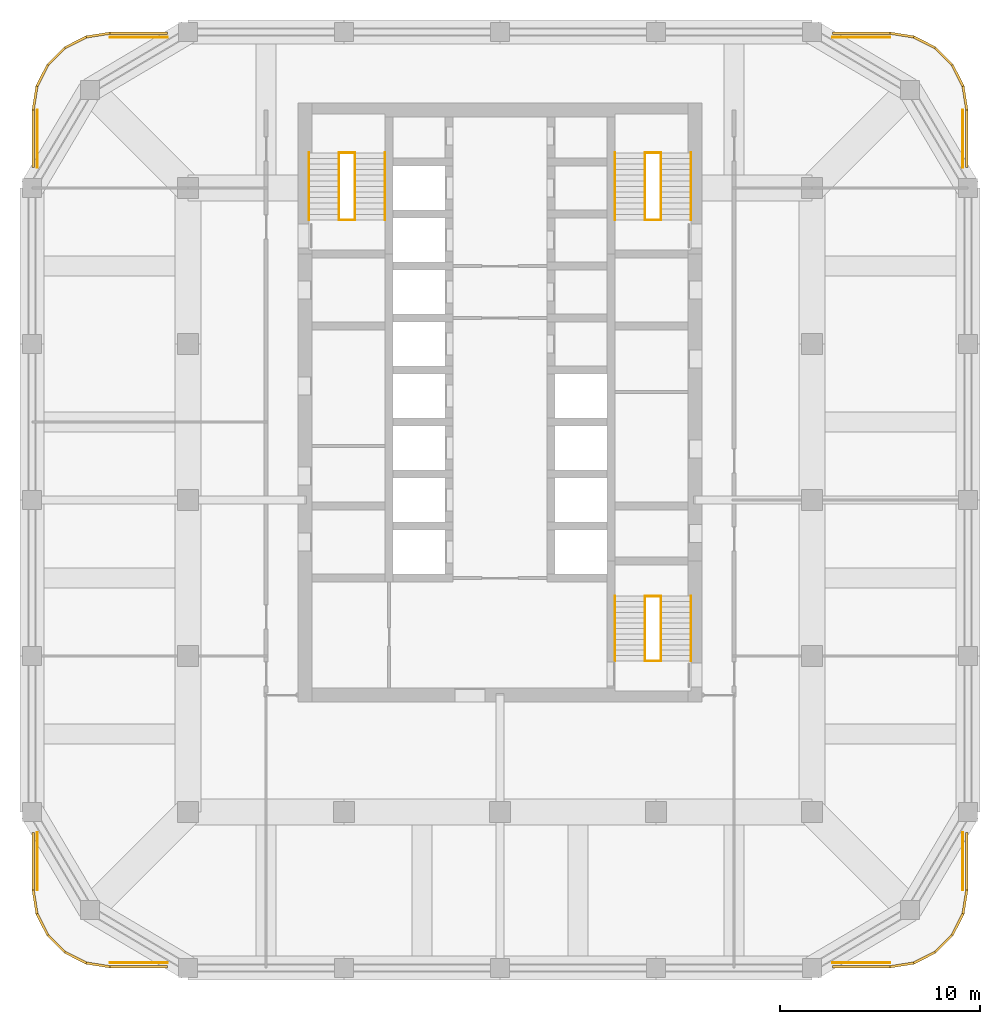
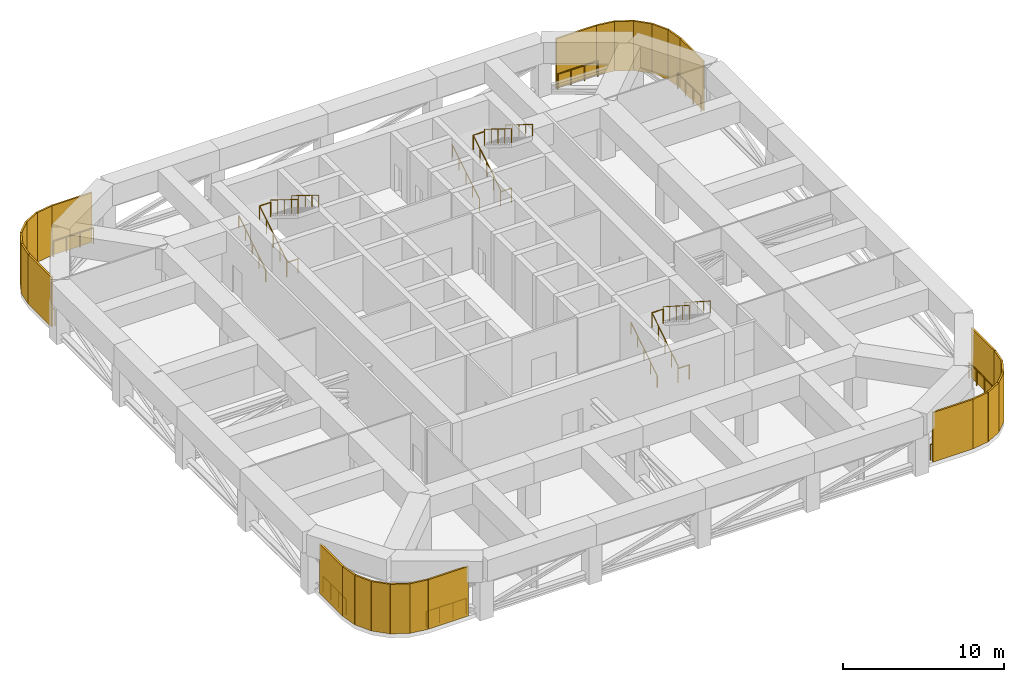
# One storey, part 9 of 9: 28 shading devices, 26 railings, 3 elements without a shape of their own.
"""IFC4 building model written with IfcOpenShell, lengths in metres."""

from ifc_helpers import new_model, si_unit, direction, frame, frame_2d, origin, origin_2d, place, context, subcontext, project, spatial, rectangle, circle, extrude, material, layer, layer_set, type_object, element, aggregate, save


model = new_model("IFC4")

# Units and contexts
model_context = context("Model", 3, precision=1e-05, world=origin(), true_north=direction((0.0, 1.0)))
body_context = subcontext(model_context, "Body", "Model", "MODEL_VIEW")
ifc_project = project(units=[si_unit("LENGTHUNIT", "METRE"), si_unit("AREAUNIT", "SQUARE_METRE"), si_unit("VOLUMEUNIT", "CUBIC_METRE"), si_unit("PLANEANGLEUNIT", "RADIAN"), si_unit("MASSUNIT", "GRAM", prefix="KILO")], contexts=[model_context])

# Site, building, storey
site_placement = place(None, origin())
site = spatial("IfcSite", under=ifc_project, at=site_placement, CompositionType="ELEMENT")
building_placement = place(site_placement, origin())
building = spatial("IfcBuilding", under=site, at=building_placement, Name="Ludao Terraces", CompositionType="ELEMENT")
storey_placement = place(building_placement, frame((0.0, 0.0, 95.39990234375)))
storey = spatial("IfcBuildingStorey", under=building, at=storey_placement, Name="L26", CompositionType="ELEMENT", Elevation=95.39990234375)

# Shading devices
ifc_material_1 = material(Name="Aluminium 6063-T6", Category="aluminium")
ifc_layer = layer(ifc_material_1, 0.1201171875)
ifc_layer_set = layer_set([ifc_layer], Name="ENV Louvre screen 120")
shading_device_type = type_object("IfcShadingDeviceType", Name="ENV Louvre screen 120", PredefinedType="USERDEFINED", material=ifc_layer_set)
for number, where, z_axis, x_axis, name in (
    (1, (65.5, 41.659912109375, 0.0), (0.0, 0.0, 1.0), (1.0, 0.0, 0.0), "LV-L26-S1"),
    (2, (101.62548828125, 41.659912109375, 0.0), (0.0, 0.0, 1.0), (1.0, 0.0, 0.0), "LV-L26-S6"),
    (3, (108.340087890625, 45.5, 0.0), (0.0, 0.0, 1.0), (0.0, 1.0, 0.0), "LV-L26-E1"),
    (4, (108.340087890625, 81.62548828125, 0.0), (0.0, 0.0, 1.0), (0.0, 1.0, 0.0), "LV-L26-E6"),
    (5, (65.5, 88.340087890625, 0.0), (0.0, 0.0, 1.0), (1.0, 0.0, 0.0), "LV-L26-N1"),
    (6, (101.62548828125, 88.340087890625, 0.0), (0.0, 0.0, 1.0), (1.0, 0.0, 0.0), "LV-L26-N6"),
    (7, (61.659912109375, 45.5, 0.0), (0.0, 0.0, 1.0), (0.0, 1.0, 0.0), "LV-L26-W1"),
    (8, (61.659912109375, 81.62548828125, 0.0), (0.0, 0.0, 1.0), (0.0, 1.0, 0.0), "LV-L26-W6"),
):
    element("IfcShadingDevice", number, at=place(storey_placement, frame(where, z_axis=z_axis, x_axis=x_axis)), inside=storey, type_object=shading_device_type, Name=name, ObjectType="LOUVRE", PredefinedType="USERDEFINED", context=body_context, shape_type="SweptSolid", body=[
        extrude(rectangle(XDim=2.87451171875, YDim=0.1201171875, at=frame_2d((1.437255859375, 0.0))), origin(), (0.0, 0.0, 1.0), 3.75),
    ])
for number, where, z_axis, x_axis, name in (
    (9, (104.5, 41.659912109375, 0.0), (0.0, 0.0, 1.0), (0.987680438414, 0.156484349296, 0.0), "LV-L26-SE1"),
    (10, (105.6865234375, 41.847900390625, 0.0), (0.0, 0.0, 1.0), (0.891028641699, 0.453947089066, 0.0), "LV-L26-SE2"),
    (11, (106.757080078125, 42.393310546875, 0.0), (0.0, 0.0, 1.0), (0.707106781187, 0.707106781187, 0.0), "LV-L26-SE3"),
    (12, (107.606689453125, 43.242919921875, 0.0), (0.0, 0.0, 1.0), (0.453947089066, 0.891028641699, 0.0), "LV-L26-SE4"),
    (13, (108.152099609375, 44.3134765625, 0.0), (0.0, 0.0, 1.0), (0.156484349296, 0.987680438414, 0.0), "LV-L26-SE5"),
    (14, (108.340087890625, 84.5, 0.0), (0.0, 0.0, 1.0), (-0.156484349296, 0.987680438414, 0.0), "LV-L26-NE1"),
    (15, (108.152099609375, 85.6865234375, 0.0), (0.0, 0.0, 1.0), (-0.453947089066, 0.891028641699, 0.0), "LV-L26-NE2"),
    (16, (107.606689453125, 86.757080078125, 0.0), (0.0, 0.0, 1.0), (-0.707106781187, 0.707106781187, 0.0), "LV-L26-NE3"),
    (17, (106.757080078125, 87.606689453125, 0.0), (0.0, 0.0, 1.0), (-0.891028641699, 0.453947089066, 0.0), "LV-L26-NE4"),
    (18, (105.6865234375, 88.152099609375, 0.0), (0.0, 0.0, 1.0), (-0.987680438414, 0.156484349296, 0.0), "LV-L26-NE5"),
    (19, (65.5, 88.340087890625, 0.0), (0.0, 0.0, 1.0), (-0.987680438414, -0.156484349296, 0.0), "LV-L26-NW1"),
    (20, (64.3134765625, 88.152099609375, 0.0), (0.0, 0.0, 1.0), (-0.891028641699, -0.453947089066, 0.0), "LV-L26-NW2"),
    (21, (63.242919921875, 87.606689453125, 0.0), (0.0, 0.0, 1.0), (-0.707106781187, -0.707106781187, 0.0), "LV-L26-NW3"),
    (22, (62.393310546875, 86.757080078125, 0.0), (0.0, 0.0, 1.0), (-0.453947089066, -0.891028641699, 0.0), "LV-L26-NW4"),
    (23, (61.847900390625, 85.6865234375, 0.0), (0.0, 0.0, 1.0), (-0.156484349296, -0.987680438414, 0.0), "LV-L26-NW5"),
    (24, (61.659912109375, 45.5, 0.0), (0.0, 0.0, 1.0), (0.156484349296, -0.987680438414, 0.0), "LV-L26-SW1"),
    (25, (61.847900390625, 44.3134765625, 0.0), (0.0, 0.0, 1.0), (0.453947089066, -0.891028641699, 0.0), "LV-L26-SW2"),
    (26, (62.393310546875, 43.242919921875, 0.0), (0.0, 0.0, 1.0), (0.707106781187, -0.707106781187, 0.0), "LV-L26-SW3"),
    (27, (63.242919921875, 42.393310546875, 0.0), (0.0, 0.0, 1.0), (0.891028641699, -0.453947089066, 0.0), "LV-L26-SW4"),
    (28, (64.3134765625, 41.847900390625, 0.0), (0.0, 0.0, 1.0), (0.987680438414, -0.156484349296, 0.0), "LV-L26-SW5"),
):
    element("IfcShadingDevice", number, at=place(storey_placement, frame(where, z_axis=z_axis, x_axis=x_axis)), inside=storey, type_object=shading_device_type, Name=name, ObjectType="LOUVRE", PredefinedType="USERDEFINED", context=body_context, shape_type="SweptSolid", body=[
        extrude(rectangle(XDim=1.201416015625, YDim=0.1201171875, at=frame_2d((0.6005859375, 0.0))), origin(), (0.0, 0.0, 1.0), 3.75),
    ])

# Railings
ifc_material_2 = material(Name="Steel Q235", Category="steel")
railing_type_1 = type_object("IfcRailingType", Name="ENV Open-edge guard 1200", PredefinedType="GUARDRAIL", material=ifc_material_2)
for number, where, name in (
    (29, (65.5, 41.8701171875, 0.0), "Guard L26 S1"),
    (30, (101.62548828125, 41.8701171875, 0.0), "Guard L26 S6"),
):
    element("IfcRailing", number, at=place(storey_placement, frame(where)), inside=storey, type_object=railing_type_1, Name=name, PredefinedType="GUARDRAIL", context=body_context, shape_type="SweptSolid", body=[
        extrude(circle(Radius=0.02392578125, at=origin_2d()), frame((0.0, 0.0, 1.17578125), z_axis=(1.0, 0.0, 0.0), x_axis=(0.0, 1.0, 0.0)), (0.0, 0.0, 1.0), 2.87451171875),
        extrude(circle(Radius=0.02099609375, at=origin_2d()), origin(), (0.0, 0.0, 1.0), 1.15185546875),
        extrude(circle(Radius=0.02099609375, at=origin_2d()), frame((0.958251953125, 0.0, 0.0)), (0.0, 0.0, 1.0), 1.15185546875),
        extrude(circle(Radius=0.02099609375, at=origin_2d()), frame((1.916259765625, 0.0, 0.0)), (0.0, 0.0, 1.0), 1.15185546875),
        extrude(circle(Radius=0.02099609375, at=origin_2d()), frame((2.87451171875, 0.0, 0.0)), (0.0, 0.0, 1.0), 1.15185546875),
    ])
for number, where, name in (
    (31, (108.1298828125, 45.5, 0.0), "Guard L26 E1"),
    (32, (108.1298828125, 81.62548828125, 0.0), "Guard L26 E6"),
):
    element("IfcRailing", number, at=place(storey_placement, frame(where)), inside=storey, type_object=railing_type_1, Name=name, PredefinedType="GUARDRAIL", context=body_context, shape_type="SweptSolid", body=[
        extrude(circle(Radius=0.02392578125, at=origin_2d()), frame((0.0, 0.0, 1.17578125), z_axis=(0.0, 1.0, 0.0), x_axis=(-1.0, 0.0, 0.0)), (0.0, 0.0, 1.0), 2.87451171875),
        extrude(circle(Radius=0.02099609375, at=origin_2d()), origin(), (0.0, 0.0, 1.0), 1.15185546875),
        extrude(circle(Radius=0.02099609375, at=origin_2d()), frame((0.0, 0.958251953125, 0.0)), (0.0, 0.0, 1.0), 1.15185546875),
        extrude(circle(Radius=0.02099609375, at=origin_2d()), frame((0.0, 1.916259765625, 0.0)), (0.0, 0.0, 1.0), 1.15185546875),
        extrude(circle(Radius=0.02099609375, at=origin_2d()), frame((0.0, 2.87451171875, 0.0)), (0.0, 0.0, 1.0), 1.15185546875),
    ])
for number, where, name in (
    (33, (65.5, 88.1298828125, 0.0), "Guard L26 N1"),
    (34, (101.62548828125, 88.1298828125, 0.0), "Guard L26 N6"),
):
    element("IfcRailing", number, at=place(storey_placement, frame(where)), inside=storey, type_object=railing_type_1, Name=name, PredefinedType="GUARDRAIL", context=body_context, shape_type="SweptSolid", body=[
        extrude(circle(Radius=0.02392578125, at=origin_2d()), frame((0.0, 0.0, 1.17578125), z_axis=(1.0, 0.0, 0.0), x_axis=(0.0, 1.0, 0.0)), (0.0, 0.0, 1.0), 2.87451171875),
        extrude(circle(Radius=0.02099609375, at=origin_2d()), origin(), (0.0, 0.0, 1.0), 1.15185546875),
        extrude(circle(Radius=0.02099609375, at=origin_2d()), frame((0.958251953125, 0.0, 0.0)), (0.0, 0.0, 1.0), 1.15185546875),
        extrude(circle(Radius=0.02099609375, at=origin_2d()), frame((1.916259765625, 0.0, 0.0)), (0.0, 0.0, 1.0), 1.15185546875),
        extrude(circle(Radius=0.02099609375, at=origin_2d()), frame((2.87451171875, 0.0, 0.0)), (0.0, 0.0, 1.0), 1.15185546875),
    ])
for number, where, name in (
    (35, (61.8701171875, 45.5, 0.0), "Guard L26 W1"),
    (36, (61.8701171875, 81.62548828125, 0.0), "Guard L26 W6"),
):
    element("IfcRailing", number, at=place(storey_placement, frame(where)), inside=storey, type_object=railing_type_1, Name=name, PredefinedType="GUARDRAIL", context=body_context, shape_type="SweptSolid", body=[
        extrude(circle(Radius=0.02392578125, at=origin_2d()), frame((0.0, 0.0, 1.17578125), z_axis=(0.0, 1.0, 0.0), x_axis=(-1.0, 0.0, 0.0)), (0.0, 0.0, 1.0), 2.87451171875),
        extrude(circle(Radius=0.02099609375, at=origin_2d()), origin(), (0.0, 0.0, 1.0), 1.15185546875),
        extrude(circle(Radius=0.02099609375, at=origin_2d()), frame((0.0, 0.958251953125, 0.0)), (0.0, 0.0, 1.0), 1.15185546875),
        extrude(circle(Radius=0.02099609375, at=origin_2d()), frame((0.0, 1.916259765625, 0.0)), (0.0, 0.0, 1.0), 1.15185546875),
        extrude(circle(Radius=0.02099609375, at=origin_2d()), frame((0.0, 2.87451171875, 0.0)), (0.0, 0.0, 1.0), 1.15185546875),
    ])

# Stair, railings
ifc_material_3 = material(Name="Concrete C40", Category="concrete")
stair_type = type_object("IfcStairType", Name="INT Stair", PredefinedType="HALF_TURN_STAIR", material=ifc_material_3)
stair_1_placement = place(storey_placement, origin())
stair_1 = element("IfcStair", 37, at=stair_1_placement, inside=storey, type_object=stair_type, Name="EXIT STAIR 1", PredefinedType="HALF_TURN_STAIR")
ifc_material_4 = material(Name="Stainless steel 304", Category="steel")
railing_type_2 = type_object("IfcRailingType", Name="INT Stair guard 1100", PredefinedType="GUARDRAIL", material=ifc_material_4)
railing_1_placement = place(storey_placement, frame((76.949951171875, 79.0, 0.173095703125)))
railing_1 = element("IfcRailing", 38, at=railing_1_placement, type_object=railing_type_2, Name="ST-L26-S1-R1G", PredefinedType="GUARDRAIL", context=body_context, shape_type="SweptSolid", body=[
    extrude(circle(Radius=0.02392578125, at=origin_2d()), frame((0.0, 0.0, 1.076171875), z_axis=(0.0, 0.850623216509, 0.525775754039), x_axis=(-1.0, 0.0, 0.0)), (0.0, 0.0, 1.0), 3.9501953125),
    extrude(circle(Radius=0.02099609375, at=origin_2d()), origin(), (0.0, 0.0, 1.0), 1.052001953125),
    extrude(circle(Radius=0.02099609375, at=origin_2d()), frame((0.0, 0.840087890625, 0.519287109375)), (0.0, 0.0, 1.0), 1.052001953125),
    extrude(circle(Radius=0.02099609375, at=origin_2d()), frame((0.0, 1.68017578125, 1.03857421875)), (0.0, 0.0, 1.0), 1.052001953125),
    extrude(circle(Radius=0.02099609375, at=origin_2d()), frame((0.0, 2.52001953125, 1.5576171875)), (0.0, 0.0, 1.0), 1.052001953125),
    extrude(circle(Radius=0.02099609375, at=origin_2d()), frame((0.0, 3.360107421875, 2.076904296875)), (0.0, 0.0, 1.0), 1.052001953125),
])
railing_2_placement = place(storey_placement, frame((77.75, 82.360107421875, 2.423095703125)))
railing_2 = element("IfcRailing", 39, at=railing_2_placement, type_object=railing_type_2, Name="ST-L26-S1-R2G", PredefinedType="GUARDRAIL", context=body_context, shape_type="SweptSolid", body=[
    extrude(circle(Radius=0.02392578125, at=origin_2d()), frame((0.0, 0.0, 1.076171875), z_axis=(0.0, -0.850623216509, 0.525775754039), x_axis=(1.0, 0.0, 0.0)), (0.0, 0.0, 1.0), 3.9501953125),
    extrude(circle(Radius=0.02099609375, at=origin_2d()), origin(), (0.0, 0.0, 1.0), 1.052001953125),
    extrude(circle(Radius=0.02099609375, at=origin_2d()), frame((0.0, -0.840087890625, 0.519287109375)), (0.0, 0.0, 1.0), 1.052001953125),
    extrude(circle(Radius=0.02099609375, at=origin_2d()), frame((0.0, -1.68017578125, 1.03857421875)), (0.0, 0.0, 1.0), 1.052001953125),
    extrude(circle(Radius=0.02099609375, at=origin_2d()), frame((0.0, -2.52001953125, 1.5576171875)), (0.0, 0.0, 1.0), 1.052001953125),
    extrude(circle(Radius=0.02099609375, at=origin_2d()), frame((0.0, -3.360107421875, 2.076904296875)), (0.0, 0.0, 1.0), 1.052001953125),
])
railing_3_placement = place(storey_placement, frame((76.949951171875, 82.360107421875, 2.25)))
railing_3 = element("IfcRailing", 40, at=railing_3_placement, type_object=railing_type_2, Name="ST-L26-S1-E1G", PredefinedType="GUARDRAIL", context=body_context, shape_type="SweptSolid", body=[
    extrude(circle(Radius=0.02392578125, at=origin_2d()), frame((0.0, 0.0, 1.076171875), z_axis=(1.0, 0.0, 0.0), x_axis=(0.0, 1.0, 0.0)), (0.0, 0.0, 1.0), 0.800048828125),
    extrude(circle(Radius=0.02099609375, at=origin_2d()), origin(), (0.0, 0.0, 1.0), 1.052001953125),
    extrude(circle(Radius=0.02099609375, at=origin_2d()), frame((0.800048828125, 0.0, 0.0)), (0.0, 0.0, 1.0), 1.052001953125),
])
railing_4_placement = place(storey_placement, frame((76.949951171875, 79.0, 0.0)))
railing_4 = element("IfcRailing", 41, at=railing_4_placement, type_object=railing_type_2, Name="ST-L26-S1-E2G", PredefinedType="GUARDRAIL", context=body_context, shape_type="SweptSolid", body=[
    extrude(circle(Radius=0.02392578125, at=origin_2d()), frame((0.0, 0.0, 1.076171875), z_axis=(1.0, 0.0, 0.0), x_axis=(0.0, 1.0, 0.0)), (0.0, 0.0, 1.0), 0.800048828125),
    extrude(circle(Radius=0.02099609375, at=origin_2d()), origin(), (0.0, 0.0, 1.0), 1.052001953125),
    extrude(circle(Radius=0.02099609375, at=origin_2d()), frame((0.800048828125, 0.0, 0.0)), (0.0, 0.0, 1.0), 1.052001953125),
])

stair_2_placement = place(storey_placement, origin())
stair_2 = element("IfcStair", 42, at=stair_2_placement, inside=storey, type_object=stair_type, Name="EXIT STAIR 2", PredefinedType="HALF_TURN_STAIR")
railing_5_placement = place(storey_placement, frame((92.25, 79.0, 0.173095703125)))
railing_5 = element("IfcRailing", 43, at=railing_5_placement, type_object=railing_type_2, Name="ST-L26-S2-R1G", PredefinedType="GUARDRAIL", context=body_context, shape_type="SweptSolid", body=[
    extrude(circle(Radius=0.02392578125, at=origin_2d()), frame((0.0, 0.0, 1.076171875), z_axis=(0.0, 0.850623216509, 0.525775754039), x_axis=(-1.0, 0.0, 0.0)), (0.0, 0.0, 1.0), 3.9501953125),
    extrude(circle(Radius=0.02099609375, at=origin_2d()), origin(), (0.0, 0.0, 1.0), 1.052001953125),
    extrude(circle(Radius=0.02099609375, at=origin_2d()), frame((0.0, 0.840087890625, 0.519287109375)), (0.0, 0.0, 1.0), 1.052001953125),
    extrude(circle(Radius=0.02099609375, at=origin_2d()), frame((0.0, 1.68017578125, 1.03857421875)), (0.0, 0.0, 1.0), 1.052001953125),
    extrude(circle(Radius=0.02099609375, at=origin_2d()), frame((0.0, 2.52001953125, 1.5576171875)), (0.0, 0.0, 1.0), 1.052001953125),
    extrude(circle(Radius=0.02099609375, at=origin_2d()), frame((0.0, 3.360107421875, 2.076904296875)), (0.0, 0.0, 1.0), 1.052001953125),
])
railing_6_placement = place(storey_placement, frame((93.050048828125, 82.360107421875, 2.423095703125)))
railing_6 = element("IfcRailing", 44, at=railing_6_placement, type_object=railing_type_2, Name="ST-L26-S2-R2G", PredefinedType="GUARDRAIL", context=body_context, shape_type="SweptSolid", body=[
    extrude(circle(Radius=0.02392578125, at=origin_2d()), frame((0.0, 0.0, 1.076171875), z_axis=(0.0, -0.850623216509, 0.525775754039), x_axis=(1.0, 0.0, 0.0)), (0.0, 0.0, 1.0), 3.9501953125),
    extrude(circle(Radius=0.02099609375, at=origin_2d()), origin(), (0.0, 0.0, 1.0), 1.052001953125),
    extrude(circle(Radius=0.02099609375, at=origin_2d()), frame((0.0, -0.840087890625, 0.519287109375)), (0.0, 0.0, 1.0), 1.052001953125),
    extrude(circle(Radius=0.02099609375, at=origin_2d()), frame((0.0, -1.68017578125, 1.03857421875)), (0.0, 0.0, 1.0), 1.052001953125),
    extrude(circle(Radius=0.02099609375, at=origin_2d()), frame((0.0, -2.52001953125, 1.5576171875)), (0.0, 0.0, 1.0), 1.052001953125),
    extrude(circle(Radius=0.02099609375, at=origin_2d()), frame((0.0, -3.360107421875, 2.076904296875)), (0.0, 0.0, 1.0), 1.052001953125),
])
railing_7_placement = place(storey_placement, frame((92.25, 82.360107421875, 2.25)))
railing_7 = element("IfcRailing", 45, at=railing_7_placement, type_object=railing_type_2, Name="ST-L26-S2-E1G", PredefinedType="GUARDRAIL", context=body_context, shape_type="SweptSolid", body=[
    extrude(circle(Radius=0.02392578125, at=origin_2d()), frame((0.0, 0.0, 1.076171875), z_axis=(1.0, 0.0, 0.0), x_axis=(0.0, 1.0, 0.0)), (0.0, 0.0, 1.0), 0.800048828125),
    extrude(circle(Radius=0.02099609375, at=origin_2d()), origin(), (0.0, 0.0, 1.0), 1.052001953125),
    extrude(circle(Radius=0.02099609375, at=origin_2d()), frame((0.800048828125, 0.0, 0.0)), (0.0, 0.0, 1.0), 1.052001953125),
])
railing_8_placement = place(storey_placement, frame((92.25, 79.0, 0.0)))
railing_8 = element("IfcRailing", 46, at=railing_8_placement, type_object=railing_type_2, Name="ST-L26-S2-E2G", PredefinedType="GUARDRAIL", context=body_context, shape_type="SweptSolid", body=[
    extrude(circle(Radius=0.02392578125, at=origin_2d()), frame((0.0, 0.0, 1.076171875), z_axis=(1.0, 0.0, 0.0), x_axis=(0.0, 1.0, 0.0)), (0.0, 0.0, 1.0), 0.800048828125),
    extrude(circle(Radius=0.02099609375, at=origin_2d()), origin(), (0.0, 0.0, 1.0), 1.052001953125),
    extrude(circle(Radius=0.02099609375, at=origin_2d()), frame((0.800048828125, 0.0, 0.0)), (0.0, 0.0, 1.0), 1.052001953125),
])

stair_3_placement = place(storey_placement, origin())
stair_3 = element("IfcStair", 47, at=stair_3_placement, inside=storey, type_object=stair_type, Name="EXIT STAIR 3", PredefinedType="HALF_TURN_STAIR")
railing_9_placement = place(storey_placement, frame((92.25, 56.949951171875, 0.173095703125)))
railing_9 = element("IfcRailing", 48, at=railing_9_placement, type_object=railing_type_2, Name="ST-L26-S3-R1G", PredefinedType="GUARDRAIL", context=body_context, shape_type="SweptSolid", body=[
    extrude(circle(Radius=0.02392578125, at=origin_2d()), frame((0.0, 0.0, 1.076171875), z_axis=(0.0, 0.841880617004, 0.539663808971), x_axis=(-1.0, 0.0, 0.0)), (0.0, 0.0, 1.0), 3.8486328125),
    extrude(circle(Radius=0.02099609375, at=origin_2d()), origin(), (0.0, 0.0, 1.0), 1.052001953125),
    extrude(circle(Radius=0.02099609375, at=origin_2d()), frame((0.0, 0.81005859375, 0.519287109375)), (0.0, 0.0, 1.0), 1.052001953125),
    extrude(circle(Radius=0.02099609375, at=origin_2d()), frame((0.0, 1.6201171875, 1.03857421875)), (0.0, 0.0, 1.0), 1.052001953125),
    extrude(circle(Radius=0.02099609375, at=origin_2d()), frame((0.0, 2.429931640625, 1.5576171875)), (0.0, 0.0, 1.0), 1.052001953125),
    extrude(circle(Radius=0.02099609375, at=origin_2d()), frame((0.0, 3.239990234375, 2.076904296875)), (0.0, 0.0, 1.0), 1.052001953125),
])
railing_10_placement = place(storey_placement, frame((93.050048828125, 60.18994140625, 2.423095703125)))
railing_10 = element("IfcRailing", 49, at=railing_10_placement, type_object=railing_type_2, Name="ST-L26-S3-R2G", PredefinedType="GUARDRAIL", context=body_context, shape_type="SweptSolid", body=[
    extrude(circle(Radius=0.02392578125, at=origin_2d()), frame((0.0, 0.0, 1.076171875), z_axis=(0.0, -0.841880617004, 0.539663808971), x_axis=(1.0, 0.0, 0.0)), (0.0, 0.0, 1.0), 3.8486328125),
    extrude(circle(Radius=0.02099609375, at=origin_2d()), origin(), (0.0, 0.0, 1.0), 1.052001953125),
    extrude(circle(Radius=0.02099609375, at=origin_2d()), frame((0.0, -0.81005859375, 0.519287109375)), (0.0, 0.0, 1.0), 1.052001953125),
    extrude(circle(Radius=0.02099609375, at=origin_2d()), frame((0.0, -1.6201171875, 1.03857421875)), (0.0, 0.0, 1.0), 1.052001953125),
    extrude(circle(Radius=0.02099609375, at=origin_2d()), frame((0.0, -2.429931640625, 1.5576171875)), (0.0, 0.0, 1.0), 1.052001953125),
    extrude(circle(Radius=0.02099609375, at=origin_2d()), frame((0.0, -3.239990234375, 2.076904296875)), (0.0, 0.0, 1.0), 1.052001953125),
])
railing_11_placement = place(storey_placement, frame((92.25, 60.18994140625, 2.25)))
railing_11 = element("IfcRailing", 50, at=railing_11_placement, type_object=railing_type_2, Name="ST-L26-S3-E1G", PredefinedType="GUARDRAIL", context=body_context, shape_type="SweptSolid", body=[
    extrude(circle(Radius=0.02392578125, at=origin_2d()), frame((0.0, 0.0, 1.076171875), z_axis=(1.0, 0.0, 0.0), x_axis=(0.0, 1.0, 0.0)), (0.0, 0.0, 1.0), 0.800048828125),
    extrude(circle(Radius=0.02099609375, at=origin_2d()), origin(), (0.0, 0.0, 1.0), 1.052001953125),
    extrude(circle(Radius=0.02099609375, at=origin_2d()), frame((0.800048828125, 0.0, 0.0)), (0.0, 0.0, 1.0), 1.052001953125),
])
railing_12_placement = place(storey_placement, frame((92.25, 56.949951171875, 0.0)))
railing_12 = element("IfcRailing", 51, at=railing_12_placement, type_object=railing_type_2, Name="ST-L26-S3-E2G", PredefinedType="GUARDRAIL", context=body_context, shape_type="SweptSolid", body=[
    extrude(circle(Radius=0.02392578125, at=origin_2d()), frame((0.0, 0.0, 1.076171875), z_axis=(1.0, 0.0, 0.0), x_axis=(0.0, 1.0, 0.0)), (0.0, 0.0, 1.0), 0.800048828125),
    extrude(circle(Radius=0.02099609375, at=origin_2d()), origin(), (0.0, 0.0, 1.0), 1.052001953125),
    extrude(circle(Radius=0.02099609375, at=origin_2d()), frame((0.800048828125, 0.0, 0.0)), (0.0, 0.0, 1.0), 1.052001953125),
])

# Railing
railing_type_3 = type_object("IfcRailingType", Name="INT Stair handrail 900", PredefinedType="HANDRAIL", material=ifc_material_4)
railing_13_placement = place(storey_placement, frame((75.449951171875, 79.0, 0.173095703125)))
railing_13 = element("IfcRailing", 52, at=railing_13_placement, type_object=railing_type_3, Name="ST-L26-S1-R1H", PredefinedType="HANDRAIL", context=body_context, shape_type="SweptSolid", body=[
    extrude(circle(Radius=0.02392578125, at=origin_2d()), frame((0.0, 0.0, 0.8759765625), z_axis=(0.0, 0.850623216509, 0.525775754039), x_axis=(-1.0, 0.0, 0.0)), (0.0, 0.0, 1.0), 3.9501953125),
    extrude(circle(Radius=0.02099609375, at=origin_2d()), origin(), (0.0, 0.0, 1.0), 0.851806640625),
    extrude(circle(Radius=0.02099609375, at=origin_2d()), frame((0.0, 0.840087890625, 0.519287109375)), (0.0, 0.0, 1.0), 0.851806640625),
    extrude(circle(Radius=0.02099609375, at=origin_2d()), frame((0.0, 1.68017578125, 1.03857421875)), (0.0, 0.0, 1.0), 0.851806640625),
    extrude(circle(Radius=0.02099609375, at=origin_2d()), frame((0.0, 2.52001953125, 1.5576171875)), (0.0, 0.0, 1.0), 0.851806640625),
    extrude(circle(Radius=0.02099609375, at=origin_2d()), frame((0.0, 3.360107421875, 2.076904296875)), (0.0, 0.0, 1.0), 0.851806640625),
])

railing_14_placement = place(storey_placement, frame((79.25, 82.360107421875, 2.423095703125)))
railing_14 = element("IfcRailing", 53, at=railing_14_placement, type_object=railing_type_3, Name="ST-L26-S1-R2H", PredefinedType="HANDRAIL", context=body_context, shape_type="SweptSolid", body=[
    extrude(circle(Radius=0.02392578125, at=origin_2d()), frame((0.0, 0.0, 0.8759765625), z_axis=(0.0, -0.850623216509, 0.525775754039), x_axis=(1.0, 0.0, 0.0)), (0.0, 0.0, 1.0), 3.9501953125),
    extrude(circle(Radius=0.02099609375, at=origin_2d()), origin(), (0.0, 0.0, 1.0), 0.851806640625),
    extrude(circle(Radius=0.02099609375, at=origin_2d()), frame((0.0, -0.840087890625, 0.519287109375)), (0.0, 0.0, 1.0), 0.851806640625),
    extrude(circle(Radius=0.02099609375, at=origin_2d()), frame((0.0, -1.68017578125, 1.03857421875)), (0.0, 0.0, 1.0), 0.851806640625),
    extrude(circle(Radius=0.02099609375, at=origin_2d()), frame((0.0, -2.52001953125, 1.5576171875)), (0.0, 0.0, 1.0), 0.851806640625),
    extrude(circle(Radius=0.02099609375, at=origin_2d()), frame((0.0, -3.360107421875, 2.076904296875)), (0.0, 0.0, 1.0), 0.851806640625),
])

aggregate(stair_1, [railing_1, railing_13, railing_2, railing_14, railing_3, railing_4])

railing_15_placement = place(storey_placement, frame((90.75, 79.0, 0.173095703125)))
railing_15 = element("IfcRailing", 54, at=railing_15_placement, type_object=railing_type_3, Name="ST-L26-S2-R1H", PredefinedType="HANDRAIL", context=body_context, shape_type="SweptSolid", body=[
    extrude(circle(Radius=0.02392578125, at=origin_2d()), frame((0.0, 0.0, 0.8759765625), z_axis=(0.0, 0.850623216509, 0.525775754039), x_axis=(-1.0, 0.0, 0.0)), (0.0, 0.0, 1.0), 3.9501953125),
    extrude(circle(Radius=0.02099609375, at=origin_2d()), origin(), (0.0, 0.0, 1.0), 0.851806640625),
    extrude(circle(Radius=0.02099609375, at=origin_2d()), frame((0.0, 0.840087890625, 0.519287109375)), (0.0, 0.0, 1.0), 0.851806640625),
    extrude(circle(Radius=0.02099609375, at=origin_2d()), frame((0.0, 1.68017578125, 1.03857421875)), (0.0, 0.0, 1.0), 0.851806640625),
    extrude(circle(Radius=0.02099609375, at=origin_2d()), frame((0.0, 2.52001953125, 1.5576171875)), (0.0, 0.0, 1.0), 0.851806640625),
    extrude(circle(Radius=0.02099609375, at=origin_2d()), frame((0.0, 3.360107421875, 2.076904296875)), (0.0, 0.0, 1.0), 0.851806640625),
])

railing_16_placement = place(storey_placement, frame((94.550048828125, 82.360107421875, 2.423095703125)))
railing_16 = element("IfcRailing", 55, at=railing_16_placement, type_object=railing_type_3, Name="ST-L26-S2-R2H", PredefinedType="HANDRAIL", context=body_context, shape_type="SweptSolid", body=[
    extrude(circle(Radius=0.02392578125, at=origin_2d()), frame((0.0, 0.0, 0.8759765625), z_axis=(0.0, -0.850623216509, 0.525775754039), x_axis=(1.0, 0.0, 0.0)), (0.0, 0.0, 1.0), 3.9501953125),
    extrude(circle(Radius=0.02099609375, at=origin_2d()), origin(), (0.0, 0.0, 1.0), 0.851806640625),
    extrude(circle(Radius=0.02099609375, at=origin_2d()), frame((0.0, -0.840087890625, 0.519287109375)), (0.0, 0.0, 1.0), 0.851806640625),
    extrude(circle(Radius=0.02099609375, at=origin_2d()), frame((0.0, -1.68017578125, 1.03857421875)), (0.0, 0.0, 1.0), 0.851806640625),
    extrude(circle(Radius=0.02099609375, at=origin_2d()), frame((0.0, -2.52001953125, 1.5576171875)), (0.0, 0.0, 1.0), 0.851806640625),
    extrude(circle(Radius=0.02099609375, at=origin_2d()), frame((0.0, -3.360107421875, 2.076904296875)), (0.0, 0.0, 1.0), 0.851806640625),
])

aggregate(stair_2, [railing_5, railing_15, railing_6, railing_16, railing_7, railing_8])

railing_17_placement = place(storey_placement, frame((90.75, 56.949951171875, 0.173095703125)))
railing_17 = element("IfcRailing", 56, at=railing_17_placement, type_object=railing_type_3, Name="ST-L26-S3-R1H", PredefinedType="HANDRAIL", context=body_context, shape_type="SweptSolid", body=[
    extrude(circle(Radius=0.02392578125, at=origin_2d()), frame((0.0, 0.0, 0.8759765625), z_axis=(0.0, 0.841880617004, 0.539663808971), x_axis=(-1.0, 0.0, 0.0)), (0.0, 0.0, 1.0), 3.8486328125),
    extrude(circle(Radius=0.02099609375, at=origin_2d()), origin(), (0.0, 0.0, 1.0), 0.851806640625),
    extrude(circle(Radius=0.02099609375, at=origin_2d()), frame((0.0, 0.81005859375, 0.519287109375)), (0.0, 0.0, 1.0), 0.851806640625),
    extrude(circle(Radius=0.02099609375, at=origin_2d()), frame((0.0, 1.6201171875, 1.03857421875)), (0.0, 0.0, 1.0), 0.851806640625),
    extrude(circle(Radius=0.02099609375, at=origin_2d()), frame((0.0, 2.429931640625, 1.5576171875)), (0.0, 0.0, 1.0), 0.851806640625),
    extrude(circle(Radius=0.02099609375, at=origin_2d()), frame((0.0, 3.239990234375, 2.076904296875)), (0.0, 0.0, 1.0), 0.851806640625),
])

railing_18_placement = place(storey_placement, frame((94.550048828125, 60.18994140625, 2.423095703125)))
railing_18 = element("IfcRailing", 57, at=railing_18_placement, type_object=railing_type_3, Name="ST-L26-S3-R2H", PredefinedType="HANDRAIL", context=body_context, shape_type="SweptSolid", body=[
    extrude(circle(Radius=0.02392578125, at=origin_2d()), frame((0.0, 0.0, 0.8759765625), z_axis=(0.0, -0.841880617004, 0.539663808971), x_axis=(1.0, 0.0, 0.0)), (0.0, 0.0, 1.0), 3.8486328125),
    extrude(circle(Radius=0.02099609375, at=origin_2d()), origin(), (0.0, 0.0, 1.0), 0.851806640625),
    extrude(circle(Radius=0.02099609375, at=origin_2d()), frame((0.0, -0.81005859375, 0.519287109375)), (0.0, 0.0, 1.0), 0.851806640625),
    extrude(circle(Radius=0.02099609375, at=origin_2d()), frame((0.0, -1.6201171875, 1.03857421875)), (0.0, 0.0, 1.0), 0.851806640625),
    extrude(circle(Radius=0.02099609375, at=origin_2d()), frame((0.0, -2.429931640625, 1.5576171875)), (0.0, 0.0, 1.0), 0.851806640625),
    extrude(circle(Radius=0.02099609375, at=origin_2d()), frame((0.0, -3.239990234375, 2.076904296875)), (0.0, 0.0, 1.0), 0.851806640625),
])

aggregate(stair_3, [railing_9, railing_17, railing_10, railing_18, railing_11, railing_12])

save(model, "model.ifc")
